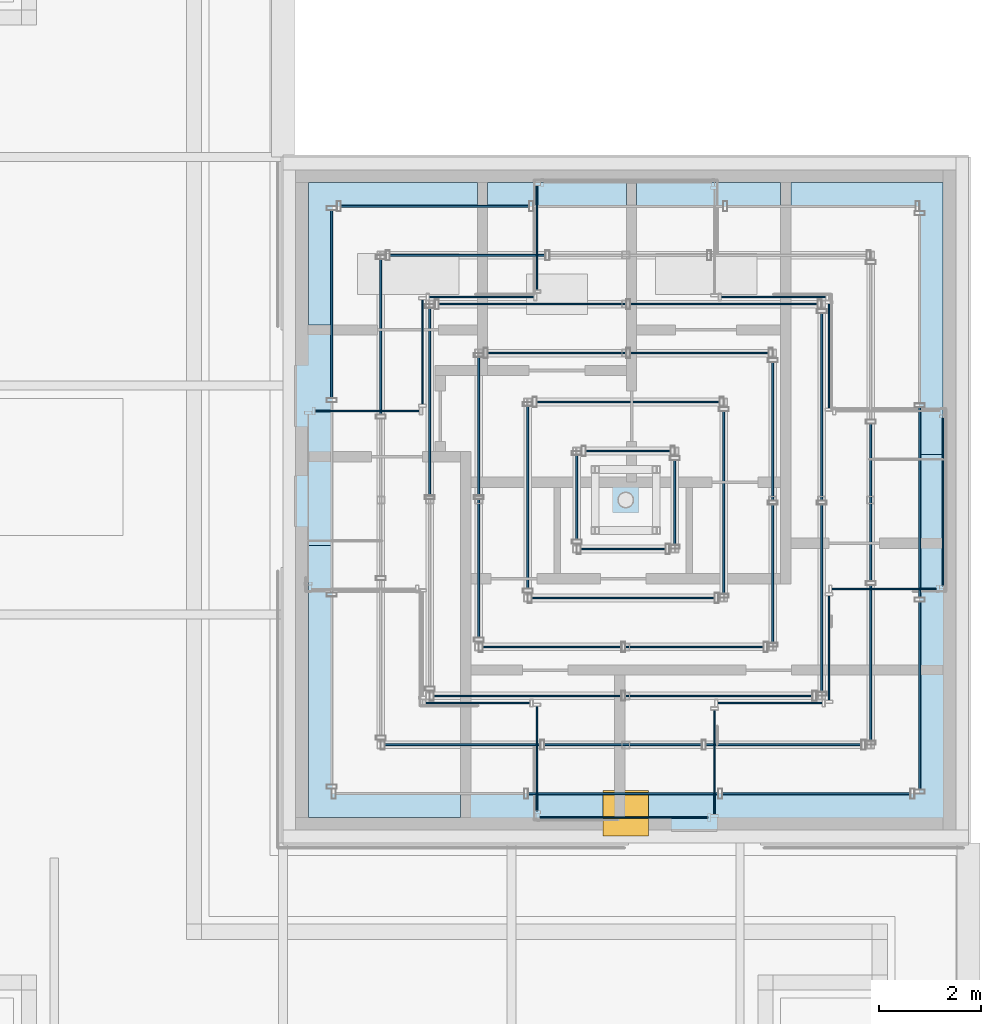
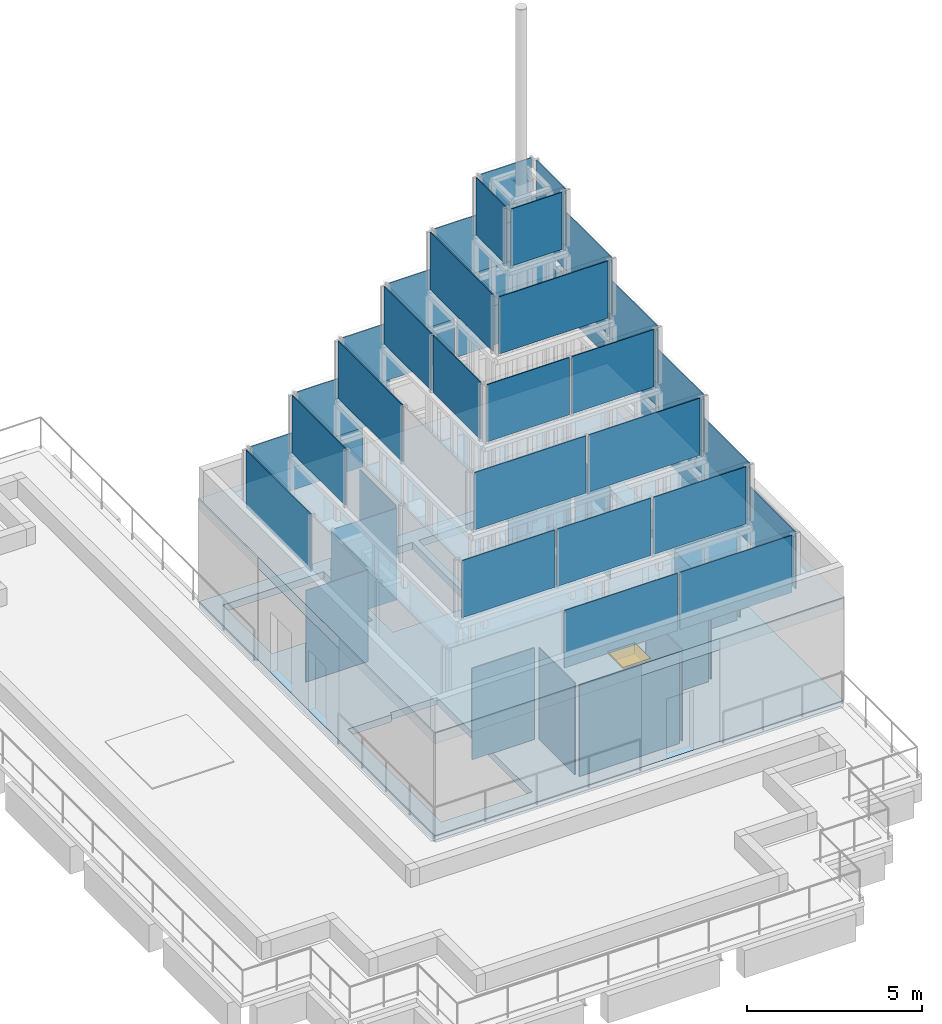
# One storey, part 53 of 62: 50 plates, 2 slabs, 1 door, 1 opening, 38 elements without a shape of their own.
"""IFC4 building model written with IfcOpenShell, lengths in metres."""

from ifc_helpers import new_model, si_unit, direction, frame, origin, origin_2d, place, context, subcontext, project, spatial, polyline, rectangle, outline, extrude, material, layer, layer_set, type_object, element, fill, aggregate, save


model = new_model("IFC4")

# Units and contexts
model_context = context("Model", 3, precision=1e-05, world=origin(), true_north=direction((0.0, 1.0)))
body_context = subcontext(model_context, "Body", "Model", "MODEL_VIEW")
ifc_project = project(units=[si_unit("LENGTHUNIT", "METRE"), si_unit("AREAUNIT", "SQUARE_METRE"), si_unit("VOLUMEUNIT", "CUBIC_METRE"), si_unit("PLANEANGLEUNIT", "RADIAN"), si_unit("MASSUNIT", "GRAM", prefix="KILO")], contexts=[model_context])

# Site, building, storey
site_placement = place(None, origin())
site = spatial("IfcSite", under=ifc_project, at=site_placement, CompositionType="ELEMENT")
building_placement = place(site_placement, origin())
building = spatial("IfcBuilding", under=site, at=building_placement, Name="Altepetl Exchange Towers", CompositionType="ELEMENT")
storey_placement = place(building_placement, frame((0.0, 0.0, 210.0)))
storey = spatial("IfcBuildingStorey", under=building, at=storey_placement, Name="L53", CompositionType="ELEMENT", Elevation=210.0)

# Slab
ifc_material_1 = material(Name="Concrete C40/50", Category="concrete")
ifc_layer_1 = layer(ifc_material_1, 0.25)
ifc_layer_set_1 = layer_set([ifc_layer_1], Name="Concrete C40/50")
slab_type_1 = type_object("IfcSlabType", Name="Core floor slab 250", PredefinedType="FLOOR", material=ifc_layer_set_1)
slab_1_placement = place(storey_placement, frame((0.0, 0.0, -0.25)))
element("IfcSlab", 1, at=slab_1_placement, inside=storey, type_object=slab_type_1, Name="slab:B:L53:core0", PredefinedType="FLOOR", context=body_context, shape_type="SweptSolid", body=[
    extrude(outline(polyline([(103.5, 36.0), (117.0, 36.0), (117.0, 49.5), (103.5, 49.5), (103.5, 36.0)]), holes=[polyline([(107.0, 36.5), (104.0, 36.5), (104.0, 41.85009765625), (105.449951171875, 41.85009765625), (105.449951171875, 41.948974609375), (107.0, 41.948974609375), (107.0, 36.5)]), polyline([(113.5, 49.0), (116.5, 49.0), (116.5, 43.64990234375), (115.050048828125, 43.64990234375), (115.050048828125, 43.551025390625), (113.5, 43.551025390625), (113.5, 49.0)]), polyline([(107.532958984375, 45.39990234375), (107.532958984375, 49.0), (110.26708984375, 49.0), (110.26708984375, 45.39990234375), (107.532958984375, 45.39990234375)]), polyline([(104.0, 49.0), (107.3330078125, 49.0), (107.3330078125, 46.199951171875), (104.0, 46.199951171875), (104.0, 49.0)]), polyline([(110.467041015625, 49.0), (113.300048828125, 49.0), (113.300048828125, 46.199951171875), (110.467041015625, 46.199951171875), (110.467041015625, 49.0)])]), origin(), (0.0, 0.0, 1.0), 0.25),
])

# Curtain wall, plate
ifc_material_2 = material(Name="Aluminium 6063-T6 glazing", Category="aluminium")
curtain_wall_type_1 = type_object("IfcCurtainWallType", Name="Loggia glazing system", PredefinedType="NOTDEFINED", material=ifc_material_2)
curtain_wall_1_placement = place(storey_placement, origin())
curtain_wall_1 = element("IfcCurtainWall", 2, at=curtain_wall_1_placement, inside=storey, type_object=curtain_wall_type_1, Name="CW1 run", PredefinedType="NOTDEFINED")
ifc_material_3 = material(Name="Glass 6-16-6 low emissivity", Category="glass")
ifc_layer_2 = layer(ifc_material_3, 0.028076171875)
ifc_layer_set_2 = layer_set([ifc_layer_2], Name="Glass 6-16-6 low emissivity")
plate_type_1 = type_object("IfcPlateType", Name="Glass panel 28 double glazed", PredefinedType="CURTAIN_PANEL", material=ifc_layer_set_2)
plate_1_placement = place(storey_placement, frame((116.5, 42.71240234375, 0.0), z_axis=(0.0, 0.0, 1.0), x_axis=(0.0, 1.0, 0.0)))
plate_1 = element("IfcPlate", 3, at=plate_1_placement, type_object=plate_type_1, Name="GP1 panel", PredefinedType="CURTAIN_PANEL", context=body_context, shape_type="SweptSolid", body=[
    extrude(rectangle(XDim=3.304931640625, YDim=0.028076171875, at=origin_2d()), origin(), (0.0, 0.0, 1.0), 3.199951171875),
])
aggregate(curtain_wall_1, [plate_1])

curtain_wall_2_placement = place(storey_placement, origin())
curtain_wall_2 = element("IfcCurtainWall", 4, at=curtain_wall_2_placement, inside=storey, type_object=curtain_wall_type_1, Name="CW1 run", PredefinedType="NOTDEFINED")
plate_2_placement = place(storey_placement, frame((114.25, 45.58740234375, 0.0), z_axis=(0.0, 0.0, 1.0), x_axis=(0.0, 1.0, 0.0)))
plate_2 = element("IfcPlate", 5, at=plate_2_placement, type_object=plate_type_1, Name="GP1 panel", PredefinedType="CURTAIN_PANEL", context=body_context, shape_type="SweptSolid", body=[
    extrude(rectangle(XDim=2.054931640625, YDim=0.028076171875, at=origin_2d()), origin(), (0.0, 0.0, 1.0), 3.199951171875),
])
aggregate(curtain_wall_2, [plate_2])

curtain_wall_3_placement = place(storey_placement, origin())
curtain_wall_3 = element("IfcCurtainWall", 6, at=curtain_wall_3_placement, inside=storey, type_object=curtain_wall_type_1, Name="CW1 run", PredefinedType="NOTDEFINED")
plate_3_placement = place(storey_placement, frame((113.16259765625, 46.75, 0.0), z_axis=(0.0, 0.0, 1.0), x_axis=(-1.0, 0.0, 0.0)))
plate_3 = element("IfcPlate", 7, at=plate_3_placement, type_object=plate_type_1, Name="GP1 panel", PredefinedType="CURTAIN_PANEL", context=body_context, shape_type="SweptSolid", body=[
    extrude(rectangle(XDim=2.054931640625, YDim=0.028076171875, at=origin_2d()), origin(), (0.0, 0.0, 1.0), 3.199951171875),
])
aggregate(curtain_wall_3, [plate_3])

curtain_wall_4_placement = place(storey_placement, origin())
curtain_wall_4 = element("IfcCurtainWall", 8, at=curtain_wall_4_placement, inside=storey, type_object=curtain_wall_type_1, Name="CW1 run", PredefinedType="NOTDEFINED")
plate_4_placement = place(storey_placement, frame((108.5, 47.91259765625, 0.0), z_axis=(0.0, 0.0, 1.0), x_axis=(0.0, -1.0, 0.0)))
plate_4 = element("IfcPlate", 9, at=plate_4_placement, type_object=plate_type_1, Name="GP1 panel", PredefinedType="CURTAIN_PANEL", context=body_context, shape_type="SweptSolid", body=[
    extrude(rectangle(XDim=2.054931640625, YDim=0.028076171875, at=origin_2d()), origin(), (0.0, 0.0, 1.0), 3.199951171875),
])
aggregate(curtain_wall_4, [plate_4])

curtain_wall_5_placement = place(storey_placement, origin())
curtain_wall_5 = element("IfcCurtainWall", 10, at=curtain_wall_5_placement, inside=storey, type_object=curtain_wall_type_1, Name="CW1 run", PredefinedType="NOTDEFINED")
plate_5_placement = place(storey_placement, frame((107.41259765625, 46.75, 0.0), z_axis=(0.0, 0.0, 1.0), x_axis=(-1.0, 0.0, 0.0)))
plate_5 = element("IfcPlate", 11, at=plate_5_placement, type_object=plate_type_1, Name="GP1 panel", PredefinedType="CURTAIN_PANEL", context=body_context, shape_type="SweptSolid", body=[
    extrude(rectangle(XDim=2.054931640625, YDim=0.028076171875, at=origin_2d()), origin(), (0.0, 0.0, 1.0), 3.199951171875),
])
aggregate(curtain_wall_5, [plate_5])

curtain_wall_6_placement = place(storey_placement, origin())
curtain_wall_6 = element("IfcCurtainWall", 12, at=curtain_wall_6_placement, inside=storey, type_object=curtain_wall_type_1, Name="CW1 run", PredefinedType="NOTDEFINED")
plate_6_placement = place(storey_placement, frame((106.25, 45.66259765625, 0.0), z_axis=(0.0, 0.0, 1.0), x_axis=(0.0, -1.0, 0.0)))
plate_6 = element("IfcPlate", 13, at=plate_6_placement, type_object=plate_type_1, Name="GP1 panel", PredefinedType="CURTAIN_PANEL", context=body_context, shape_type="SweptSolid", body=[
    extrude(rectangle(XDim=2.054931640625, YDim=0.028076171875, at=origin_2d()), origin(), (0.0, 0.0, 1.0), 3.199951171875),
])
aggregate(curtain_wall_6, [plate_6])

curtain_wall_7_placement = place(storey_placement, origin())
curtain_wall_7 = element("IfcCurtainWall", 14, at=curtain_wall_7_placement, inside=storey, type_object=curtain_wall_type_1, Name="CW1 run", PredefinedType="NOTDEFINED")
plate_7_placement = place(storey_placement, frame((105.16259765625, 44.5, 0.0), z_axis=(0.0, 0.0, 1.0), x_axis=(-1.0, 0.0, 0.0)))
plate_7 = element("IfcPlate", 15, at=plate_7_placement, type_object=plate_type_1, Name="GP1 panel", PredefinedType="CURTAIN_PANEL", context=body_context, shape_type="SweptSolid", body=[
    extrude(rectangle(XDim=2.054931640625, YDim=0.028076171875, at=origin_2d()), origin(), (0.0, 0.0, 1.0), 3.199951171875),
])
aggregate(curtain_wall_7, [plate_7])

curtain_wall_8_placement = place(storey_placement, origin())
curtain_wall_8 = element("IfcCurtainWall", 16, at=curtain_wall_8_placement, inside=storey, type_object=curtain_wall_type_1, Name="CW1 run", PredefinedType="NOTDEFINED")
plate_8_placement = place(storey_placement, frame((107.33740234375, 38.75, 0.0)))
plate_8 = element("IfcPlate", 17, at=plate_8_placement, type_object=plate_type_1, Name="GP1 panel", PredefinedType="CURTAIN_PANEL", context=body_context, shape_type="SweptSolid", body=[
    extrude(rectangle(XDim=2.054931640625, YDim=0.028076171875, at=origin_2d()), origin(), (0.0, 0.0, 1.0), 3.199951171875),
])
aggregate(curtain_wall_8, [plate_8])

curtain_wall_9_placement = place(storey_placement, origin())
curtain_wall_9 = element("IfcCurtainWall", 18, at=curtain_wall_9_placement, inside=storey, type_object=curtain_wall_type_1, Name="CW1 run", PredefinedType="NOTDEFINED")
plate_9_placement = place(storey_placement, frame((108.5, 37.66259765625, 0.0), z_axis=(0.0, 0.0, 1.0), x_axis=(0.0, -1.0, 0.0)))
plate_9 = element("IfcPlate", 19, at=plate_9_placement, type_object=plate_type_1, Name="GP1 panel", PredefinedType="CURTAIN_PANEL", context=body_context, shape_type="SweptSolid", body=[
    extrude(rectangle(XDim=2.054931640625, YDim=0.028076171875, at=origin_2d()), origin(), (0.0, 0.0, 1.0), 3.199951171875),
])
aggregate(curtain_wall_9, [plate_9])

curtain_wall_10_placement = place(storey_placement, origin())
curtain_wall_10 = element("IfcCurtainWall", 20, at=curtain_wall_10_placement, inside=storey, type_object=curtain_wall_type_1, Name="CW1 run", PredefinedType="NOTDEFINED")
plate_10_placement = place(storey_placement, frame((110.21240234375, 36.5, 0.0)))
plate_10 = element("IfcPlate", 21, at=plate_10_placement, type_object=plate_type_1, Name="GP1 panel", PredefinedType="CURTAIN_PANEL", context=body_context, shape_type="SweptSolid", body=[
    extrude(rectangle(XDim=3.304931640625, YDim=0.028076171875, at=origin_2d()), origin(), (0.0, 0.0, 1.0), 3.199951171875),
])
aggregate(curtain_wall_10, [plate_10])

curtain_wall_11_placement = place(storey_placement, origin())
curtain_wall_11 = element("IfcCurtainWall", 22, at=curtain_wall_11_placement, inside=storey, type_object=curtain_wall_type_1, Name="CW1 run", PredefinedType="NOTDEFINED")
plate_11_placement = place(storey_placement, frame((112.0, 37.58740234375, 0.0), z_axis=(0.0, 0.0, 1.0), x_axis=(0.0, 1.0, 0.0)))
plate_11 = element("IfcPlate", 23, at=plate_11_placement, type_object=plate_type_1, Name="GP1 panel", PredefinedType="CURTAIN_PANEL", context=body_context, shape_type="SweptSolid", body=[
    extrude(rectangle(XDim=2.054931640625, YDim=0.028076171875, at=origin_2d()), origin(), (0.0, 0.0, 1.0), 3.199951171875),
])
aggregate(curtain_wall_11, [plate_11])

curtain_wall_12_placement = place(storey_placement, origin())
curtain_wall_12 = element("IfcCurtainWall", 24, at=curtain_wall_12_placement, inside=storey, type_object=curtain_wall_type_1, Name="CW1 run", PredefinedType="NOTDEFINED")
plate_12_placement = place(storey_placement, frame((113.08740234375, 38.75, 0.0)))
plate_12 = element("IfcPlate", 25, at=plate_12_placement, type_object=plate_type_1, Name="GP1 panel", PredefinedType="CURTAIN_PANEL", context=body_context, shape_type="SweptSolid", body=[
    extrude(rectangle(XDim=2.054931640625, YDim=0.028076171875, at=origin_2d()), origin(), (0.0, 0.0, 1.0), 3.199951171875),
])
aggregate(curtain_wall_12, [plate_12])

curtain_wall_13_placement = place(storey_placement, origin())
curtain_wall_13 = element("IfcCurtainWall", 26, at=curtain_wall_13_placement, inside=storey, type_object=curtain_wall_type_1, Name="CW1 run", PredefinedType="NOTDEFINED")
plate_13_placement = place(storey_placement, frame((114.25, 39.83740234375, 0.0), z_axis=(0.0, 0.0, 1.0), x_axis=(0.0, 1.0, 0.0)))
plate_13 = element("IfcPlate", 27, at=plate_13_placement, type_object=plate_type_1, Name="GP1 panel", PredefinedType="CURTAIN_PANEL", context=body_context, shape_type="SweptSolid", body=[
    extrude(rectangle(XDim=2.054931640625, YDim=0.028076171875, at=origin_2d()), origin(), (0.0, 0.0, 1.0), 3.199951171875),
])
aggregate(curtain_wall_13, [plate_13])

curtain_wall_14_placement = place(storey_placement, origin())
curtain_wall_14 = element("IfcCurtainWall", 28, at=curtain_wall_14_placement, inside=storey, type_object=curtain_wall_type_1, Name="CW1 run", PredefinedType="NOTDEFINED")
plate_14_placement = place(storey_placement, frame((115.33740234375, 41.0, 0.0)))
plate_14 = element("IfcPlate", 29, at=plate_14_placement, type_object=plate_type_1, Name="GP1 panel", PredefinedType="CURTAIN_PANEL", context=body_context, shape_type="SweptSolid", body=[
    extrude(rectangle(XDim=2.054931640625, YDim=0.028076171875, at=origin_2d()), origin(), (0.0, 0.0, 1.0), 3.199951171875),
])
aggregate(curtain_wall_14, [plate_14])

# Curtain wall, plates
curtain_wall_type_2 = type_object("IfcCurtainWallType", Name="Crown glazing system", PredefinedType="NOTDEFINED", material=ifc_material_2)
curtain_wall_15_placement = place(storey_placement, origin())
curtain_wall_15 = element("IfcCurtainWall", 30, at=curtain_wall_15_placement, inside=storey, type_object=curtain_wall_type_2, Name="CW7 run", PredefinedType="NOTDEFINED")
ifc_material_4 = material(Name="Glass 8-20-8 solar control", Category="glass")
ifc_layer_3 = layer(ifc_material_4, 0.035888671875)
ifc_layer_set_3 = layer_set([ifc_layer_3], Name="Glass 8-20-8 solar control")
plate_type_2 = type_object("IfcPlateType", Name="Glass panel 36 double glazed", PredefinedType="CURTAIN_PANEL", material=ifc_layer_set_3)
plate_15_placement = place(storey_placement, frame((110.199951171875, 36.96435546875, 3.60009765625)))
plate_15 = element("IfcPlate", 31, at=plate_15_placement, type_object=plate_type_2, Name="GP2 panel", PredefinedType="CURTAIN_PANEL", context=body_context, shape_type="SweptSolid", body=[
    extrude(rectangle(XDim=3.743896484375, YDim=0.035888671875, at=origin_2d()), origin(), (0.0, 0.0, 1.0), 2.0),
])
plate_16_placement = place(storey_placement, frame((114.00390625, 36.96435546875, 3.60009765625)))
plate_16 = element("IfcPlate", 32, at=plate_16_placement, type_object=plate_type_2, Name="GP2 panel", PredefinedType="CURTAIN_PANEL", context=body_context, shape_type="SweptSolid", body=[
    extrude(rectangle(XDim=3.703857421875, YDim=0.035888671875, at=origin_2d()), origin(), (0.0, 0.0, 1.0), 2.0),
])
aggregate(curtain_wall_15, [plate_15, plate_16])

curtain_wall_16_placement = place(storey_placement, origin())
curtain_wall_16 = element("IfcCurtainWall", 33, at=curtain_wall_16_placement, inside=storey, type_object=curtain_wall_type_2, Name="CW7 run", PredefinedType="NOTDEFINED")
plate_17_placement = place(storey_placement, frame((116.03564453125, 38.896240234375, 3.60009765625), z_axis=(0.0, 0.0, 1.0), x_axis=(0.0, 1.0, 0.0)))
plate_17 = element("IfcPlate", 34, at=plate_17_placement, type_object=plate_type_2, Name="GP2 panel", PredefinedType="CURTAIN_PANEL", context=body_context, shape_type="SweptSolid", body=[
    extrude(rectangle(XDim=3.703857421875, YDim=0.035888671875, at=origin_2d()), origin(), (0.0, 0.0, 1.0), 2.0),
])
plate_18_placement = place(storey_placement, frame((116.03564453125, 42.699951171875, 3.60009765625), z_axis=(0.0, 0.0, 1.0), x_axis=(0.0, 1.0, 0.0)))
plate_18 = element("IfcPlate", 35, at=plate_18_placement, type_object=plate_type_2, Name="GP2 panel", PredefinedType="CURTAIN_PANEL", context=body_context, shape_type="SweptSolid", body=[
    extrude(rectangle(XDim=3.743896484375, YDim=0.035888671875, at=origin_2d()), origin(), (0.0, 0.0, 1.0), 2.0),
])
aggregate(curtain_wall_16, [plate_17, plate_18])

# Curtain wall, plate
curtain_wall_17_placement = place(storey_placement, origin())
curtain_wall_17 = element("IfcCurtainWall", 36, at=curtain_wall_17_placement, inside=storey, type_object=curtain_wall_type_2, Name="CW7 run", PredefinedType="NOTDEFINED")
plate_19_placement = place(storey_placement, frame((106.49609375, 48.53564453125, 3.60009765625), z_axis=(0.0, 0.0, 1.0), x_axis=(-1.0, 0.0, 0.0)))
plate_19 = element("IfcPlate", 37, at=plate_19_placement, type_object=plate_type_2, Name="GP2 panel", PredefinedType="CURTAIN_PANEL", context=body_context, shape_type="SweptSolid", body=[
    extrude(rectangle(XDim=3.703857421875, YDim=0.035888671875, at=origin_2d()), origin(), (0.0, 0.0, 1.0), 2.0),
])
aggregate(curtain_wall_17, [plate_19])

curtain_wall_18_placement = place(storey_placement, origin())
curtain_wall_18 = element("IfcCurtainWall", 38, at=curtain_wall_18_placement, inside=storey, type_object=curtain_wall_type_2, Name="CW7 run", PredefinedType="NOTDEFINED")
plate_20_placement = place(storey_placement, frame((104.46435546875, 46.603759765625, 3.60009765625), z_axis=(0.0, 0.0, 1.0), x_axis=(0.0, -1.0, 0.0)))
plate_20 = element("IfcPlate", 39, at=plate_20_placement, type_object=plate_type_2, Name="GP2 panel", PredefinedType="CURTAIN_PANEL", context=body_context, shape_type="SweptSolid", body=[
    extrude(rectangle(XDim=3.703857421875, YDim=0.035888671875, at=origin_2d()), origin(), (0.0, 0.0, 1.0), 2.0),
])
aggregate(curtain_wall_18, [plate_20])

# Curtain wall, plates
curtain_wall_19_placement = place(storey_placement, origin())
curtain_wall_19 = element("IfcCurtainWall", 40, at=curtain_wall_19_placement, inside=storey, type_object=curtain_wall_type_2, Name="CW7 run", PredefinedType="NOTDEFINED")
plate_21_placement = place(storey_placement, frame((107.0390625, 37.928466796875, 5.75)))
plate_21 = element("IfcPlate", 41, at=plate_21_placement, type_object=plate_type_2, Name="GP2 panel", PredefinedType="CURTAIN_PANEL", context=body_context, shape_type="SweptSolid", body=[
    extrude(rectangle(XDim=3.06103515625, YDim=0.035888671875, at=origin_2d()), origin(), (0.0, 0.0, 1.0), 2.0),
])
plate_22_placement = place(storey_placement, frame((110.199951171875, 37.928466796875, 5.75)))
plate_22 = element("IfcPlate", 42, at=plate_22_placement, type_object=plate_type_2, Name="GP2 panel", PredefinedType="CURTAIN_PANEL", context=body_context, shape_type="SweptSolid", body=[
    extrude(rectangle(XDim=3.10107421875, YDim=0.035888671875, at=origin_2d()), origin(), (0.0, 0.0, 1.0), 2.0),
])
plate_23_placement = place(storey_placement, frame((113.36083984375, 37.928466796875, 5.75)))
plate_23 = element("IfcPlate", 43, at=plate_23_placement, type_object=plate_type_2, Name="GP2 panel", PredefinedType="CURTAIN_PANEL", context=body_context, shape_type="SweptSolid", body=[
    extrude(rectangle(XDim=3.06103515625, YDim=0.035888671875, at=origin_2d()), origin(), (0.0, 0.0, 1.0), 2.0),
])
aggregate(curtain_wall_19, [plate_21, plate_22, plate_23])

curtain_wall_20_placement = place(storey_placement, origin())
curtain_wall_20 = element("IfcCurtainWall", 44, at=curtain_wall_20_placement, inside=storey, type_object=curtain_wall_type_2, Name="CW7 run", PredefinedType="NOTDEFINED")
plate_24_placement = place(storey_placement, frame((115.071533203125, 39.5390625, 5.75), z_axis=(0.0, 0.0, 1.0), x_axis=(0.0, 1.0, 0.0)))
plate_24 = element("IfcPlate", 45, at=plate_24_placement, type_object=plate_type_2, Name="GP2 panel", PredefinedType="CURTAIN_PANEL", context=body_context, shape_type="SweptSolid", body=[
    extrude(rectangle(XDim=3.06103515625, YDim=0.035888671875, at=origin_2d()), origin(), (0.0, 0.0, 1.0), 2.0),
])
plate_25_placement = place(storey_placement, frame((115.071533203125, 42.699951171875, 5.75), z_axis=(0.0, 0.0, 1.0), x_axis=(0.0, 1.0, 0.0)))
plate_25 = element("IfcPlate", 46, at=plate_25_placement, type_object=plate_type_2, Name="GP2 panel", PredefinedType="CURTAIN_PANEL", context=body_context, shape_type="SweptSolid", body=[
    extrude(rectangle(XDim=3.10107421875, YDim=0.035888671875, at=origin_2d()), origin(), (0.0, 0.0, 1.0), 2.0),
])
aggregate(curtain_wall_20, [plate_24, plate_25])

# Curtain wall, plate
curtain_wall_21_placement = place(storey_placement, origin())
curtain_wall_21 = element("IfcCurtainWall", 47, at=curtain_wall_21_placement, inside=storey, type_object=curtain_wall_type_2, Name="CW7 run", PredefinedType="NOTDEFINED")
plate_26_placement = place(storey_placement, frame((107.13916015625, 47.571533203125, 5.75), z_axis=(0.0, 0.0, 1.0), x_axis=(-1.0, 0.0, 0.0)))
plate_26 = element("IfcPlate", 48, at=plate_26_placement, type_object=plate_type_2, Name="GP2 panel", PredefinedType="CURTAIN_PANEL", context=body_context, shape_type="SweptSolid", body=[
    extrude(rectangle(XDim=3.06103515625, YDim=0.035888671875, at=origin_2d()), origin(), (0.0, 0.0, 1.0), 2.0),
])
aggregate(curtain_wall_21, [plate_26])

curtain_wall_22_placement = place(storey_placement, origin())
curtain_wall_22 = element("IfcCurtainWall", 49, at=curtain_wall_22_placement, inside=storey, type_object=curtain_wall_type_2, Name="CW7 run", PredefinedType="NOTDEFINED")
plate_27_placement = place(storey_placement, frame((105.428466796875, 45.9609375, 5.75), z_axis=(0.0, 0.0, 1.0), x_axis=(0.0, -1.0, 0.0)))
plate_27 = element("IfcPlate", 50, at=plate_27_placement, type_object=plate_type_2, Name="GP2 panel", PredefinedType="CURTAIN_PANEL", context=body_context, shape_type="SweptSolid", body=[
    extrude(rectangle(XDim=3.06103515625, YDim=0.035888671875, at=origin_2d()), origin(), (0.0, 0.0, 1.0), 2.0),
])
aggregate(curtain_wall_22, [plate_27])

# Curtain wall, plates
curtain_wall_23_placement = place(storey_placement, origin())
curtain_wall_23 = element("IfcCurtainWall", 51, at=curtain_wall_23_placement, inside=storey, type_object=curtain_wall_type_2, Name="CW7 run", PredefinedType="NOTDEFINED")
plate_28_placement = place(storey_placement, frame((108.31640625, 38.892822265625, 7.89990234375)))
plate_28 = element("IfcPlate", 52, at=plate_28_placement, type_object=plate_type_2, Name="GP2 panel", PredefinedType="CURTAIN_PANEL", context=body_context, shape_type="SweptSolid", body=[
    extrude(rectangle(XDim=3.687255859375, YDim=0.035888671875, at=origin_2d()), origin(), (0.0, 0.0, 1.0), 2.0),
])
plate_29_placement = place(storey_placement, frame((112.08349609375, 38.892822265625, 7.89990234375)))
plate_29 = element("IfcPlate", 53, at=plate_29_placement, type_object=plate_type_2, Name="GP2 panel", PredefinedType="CURTAIN_PANEL", context=body_context, shape_type="SweptSolid", body=[
    extrude(rectangle(XDim=3.687255859375, YDim=0.035888671875, at=origin_2d()), origin(), (0.0, 0.0, 1.0), 2.0),
])
aggregate(curtain_wall_23, [plate_28, plate_29])

curtain_wall_24_placement = place(storey_placement, origin())
curtain_wall_24 = element("IfcCurtainWall", 54, at=curtain_wall_24_placement, inside=storey, type_object=curtain_wall_type_2, Name="CW7 run", PredefinedType="NOTDEFINED")
plate_30_placement = place(storey_placement, frame((114.107177734375, 40.81640625, 7.89990234375), z_axis=(0.0, 0.0, 1.0), x_axis=(0.0, 1.0, 0.0)))
plate_30 = element("IfcPlate", 55, at=plate_30_placement, type_object=plate_type_2, Name="GP2 panel", PredefinedType="CURTAIN_PANEL", context=body_context, shape_type="SweptSolid", body=[
    extrude(rectangle(XDim=3.687255859375, YDim=0.035888671875, at=origin_2d()), origin(), (0.0, 0.0, 1.0), 2.0),
])
plate_31_placement = place(storey_placement, frame((114.107177734375, 44.58349609375, 7.89990234375), z_axis=(0.0, 0.0, 1.0), x_axis=(0.0, 1.0, 0.0)))
plate_31 = element("IfcPlate", 56, at=plate_31_placement, type_object=plate_type_2, Name="GP2 panel", PredefinedType="CURTAIN_PANEL", context=body_context, shape_type="SweptSolid", body=[
    extrude(rectangle(XDim=3.687255859375, YDim=0.035888671875, at=origin_2d()), origin(), (0.0, 0.0, 1.0), 2.0),
])
aggregate(curtain_wall_24, [plate_30, plate_31])

curtain_wall_25_placement = place(storey_placement, origin())
curtain_wall_25 = element("IfcCurtainWall", 57, at=curtain_wall_25_placement, inside=storey, type_object=curtain_wall_type_2, Name="CW7 run", PredefinedType="NOTDEFINED")
plate_32_placement = place(storey_placement, frame((112.18359375, 46.607177734375, 7.89990234375), z_axis=(0.0, 0.0, 1.0), x_axis=(-1.0, 0.0, 0.0)))
plate_32 = element("IfcPlate", 58, at=plate_32_placement, type_object=plate_type_2, Name="GP2 panel", PredefinedType="CURTAIN_PANEL", context=body_context, shape_type="SweptSolid", body=[
    extrude(rectangle(XDim=3.687255859375, YDim=0.035888671875, at=origin_2d()), origin(), (0.0, 0.0, 1.0), 2.0),
])
plate_33_placement = place(storey_placement, frame((108.41650390625, 46.607177734375, 7.89990234375), z_axis=(0.0, 0.0, 1.0), x_axis=(-1.0, 0.0, 0.0)))
plate_33 = element("IfcPlate", 59, at=plate_33_placement, type_object=plate_type_2, Name="GP2 panel", PredefinedType="CURTAIN_PANEL", context=body_context, shape_type="SweptSolid", body=[
    extrude(rectangle(XDim=3.687255859375, YDim=0.035888671875, at=origin_2d()), origin(), (0.0, 0.0, 1.0), 2.0),
])
aggregate(curtain_wall_25, [plate_32, plate_33])

# Curtain wall, plate
curtain_wall_26_placement = place(storey_placement, origin())
curtain_wall_26 = element("IfcCurtainWall", 60, at=curtain_wall_26_placement, inside=storey, type_object=curtain_wall_type_2, Name="CW7 run", PredefinedType="NOTDEFINED")
plate_34_placement = place(storey_placement, frame((106.392822265625, 44.68359375, 7.89990234375), z_axis=(0.0, 0.0, 1.0), x_axis=(0.0, -1.0, 0.0)))
plate_34 = element("IfcPlate", 61, at=plate_34_placement, type_object=plate_type_2, Name="GP2 panel", PredefinedType="CURTAIN_PANEL", context=body_context, shape_type="SweptSolid", body=[
    extrude(rectangle(XDim=3.687255859375, YDim=0.035888671875, at=origin_2d()), origin(), (0.0, 0.0, 1.0), 2.0),
])
aggregate(curtain_wall_26, [plate_34])

# Curtain wall, plates
curtain_wall_27_placement = place(storey_placement, origin())
curtain_wall_27 = element("IfcCurtainWall", 62, at=curtain_wall_27_placement, inside=storey, type_object=curtain_wall_type_2, Name="CW7 run", PredefinedType="NOTDEFINED")
plate_35_placement = place(storey_placement, frame((108.798583984375, 39.857177734375, 10.050048828125)))
plate_35 = element("IfcPlate", 63, at=plate_35_placement, type_object=plate_type_2, Name="GP2 panel", PredefinedType="CURTAIN_PANEL", context=body_context, shape_type="SweptSolid", body=[
    extrude(rectangle(XDim=2.722900390625, YDim=0.035888671875, at=origin_2d()), origin(), (0.0, 0.0, 1.0), 2.0),
])
plate_36_placement = place(storey_placement, frame((111.601318359375, 39.857177734375, 10.050048828125)))
plate_36 = element("IfcPlate", 64, at=plate_36_placement, type_object=plate_type_2, Name="GP2 panel", PredefinedType="CURTAIN_PANEL", context=body_context, shape_type="SweptSolid", body=[
    extrude(rectangle(XDim=2.722900390625, YDim=0.035888671875, at=origin_2d()), origin(), (0.0, 0.0, 1.0), 2.0),
])
aggregate(curtain_wall_27, [plate_35, plate_36])

curtain_wall_28_placement = place(storey_placement, origin())
curtain_wall_28 = element("IfcCurtainWall", 65, at=curtain_wall_28_placement, inside=storey, type_object=curtain_wall_type_2, Name="CW7 run", PredefinedType="NOTDEFINED")
plate_37_placement = place(storey_placement, frame((113.142822265625, 41.298583984375, 10.050048828125), z_axis=(0.0, 0.0, 1.0), x_axis=(0.0, 1.0, 0.0)))
plate_37 = element("IfcPlate", 66, at=plate_37_placement, type_object=plate_type_2, Name="GP2 panel", PredefinedType="CURTAIN_PANEL", context=body_context, shape_type="SweptSolid", body=[
    extrude(rectangle(XDim=2.722900390625, YDim=0.035888671875, at=origin_2d()), origin(), (0.0, 0.0, 1.0), 2.0),
])
plate_38_placement = place(storey_placement, frame((113.142822265625, 44.101318359375, 10.050048828125), z_axis=(0.0, 0.0, 1.0), x_axis=(0.0, 1.0, 0.0)))
plate_38 = element("IfcPlate", 67, at=plate_38_placement, type_object=plate_type_2, Name="GP2 panel", PredefinedType="CURTAIN_PANEL", context=body_context, shape_type="SweptSolid", body=[
    extrude(rectangle(XDim=2.722900390625, YDim=0.035888671875, at=origin_2d()), origin(), (0.0, 0.0, 1.0), 2.0),
])
aggregate(curtain_wall_28, [plate_37, plate_38])

curtain_wall_29_placement = place(storey_placement, origin())
curtain_wall_29 = element("IfcCurtainWall", 68, at=curtain_wall_29_placement, inside=storey, type_object=curtain_wall_type_2, Name="CW7 run", PredefinedType="NOTDEFINED")
plate_39_placement = place(storey_placement, frame((111.701416015625, 45.642822265625, 10.050048828125), z_axis=(0.0, 0.0, 1.0), x_axis=(-1.0, 0.0, 0.0)))
plate_39 = element("IfcPlate", 69, at=plate_39_placement, type_object=plate_type_2, Name="GP2 panel", PredefinedType="CURTAIN_PANEL", context=body_context, shape_type="SweptSolid", body=[
    extrude(rectangle(XDim=2.722900390625, YDim=0.035888671875, at=origin_2d()), origin(), (0.0, 0.0, 1.0), 2.0),
])
plate_40_placement = place(storey_placement, frame((108.898681640625, 45.642822265625, 10.050048828125), z_axis=(0.0, 0.0, 1.0), x_axis=(-1.0, 0.0, 0.0)))
plate_40 = element("IfcPlate", 70, at=plate_40_placement, type_object=plate_type_2, Name="GP2 panel", PredefinedType="CURTAIN_PANEL", context=body_context, shape_type="SweptSolid", body=[
    extrude(rectangle(XDim=2.722900390625, YDim=0.035888671875, at=origin_2d()), origin(), (0.0, 0.0, 1.0), 2.0),
])
aggregate(curtain_wall_29, [plate_39, plate_40])

curtain_wall_30_placement = place(storey_placement, origin())
curtain_wall_30 = element("IfcCurtainWall", 71, at=curtain_wall_30_placement, inside=storey, type_object=curtain_wall_type_2, Name="CW7 run", PredefinedType="NOTDEFINED")
plate_41_placement = place(storey_placement, frame((107.357177734375, 44.201416015625, 10.050048828125), z_axis=(0.0, 0.0, 1.0), x_axis=(0.0, -1.0, 0.0)))
plate_41 = element("IfcPlate", 72, at=plate_41_placement, type_object=plate_type_2, Name="GP2 panel", PredefinedType="CURTAIN_PANEL", context=body_context, shape_type="SweptSolid", body=[
    extrude(rectangle(XDim=2.722900390625, YDim=0.035888671875, at=origin_2d()), origin(), (0.0, 0.0, 1.0), 2.0),
])
plate_42_placement = place(storey_placement, frame((107.357177734375, 41.398681640625, 10.050048828125), z_axis=(0.0, 0.0, 1.0), x_axis=(0.0, -1.0, 0.0)))
plate_42 = element("IfcPlate", 73, at=plate_42_placement, type_object=plate_type_2, Name="GP2 panel", PredefinedType="CURTAIN_PANEL", context=body_context, shape_type="SweptSolid", body=[
    extrude(rectangle(XDim=2.722900390625, YDim=0.035888671875, at=origin_2d()), origin(), (0.0, 0.0, 1.0), 2.0),
])
aggregate(curtain_wall_30, [plate_41, plate_42])

# Curtain wall, plate
curtain_wall_31_placement = place(storey_placement, origin())
curtain_wall_31 = element("IfcCurtainWall", 74, at=curtain_wall_31_placement, inside=storey, type_object=curtain_wall_type_2, Name="CW7 run", PredefinedType="NOTDEFINED")
plate_43_placement = place(storey_placement, frame((110.199951171875, 40.821533203125, 12.199951171875)))
plate_43 = element("IfcPlate", 75, at=plate_43_placement, type_object=plate_type_2, Name="GP2 panel", PredefinedType="CURTAIN_PANEL", context=body_context, shape_type="SweptSolid", body=[
    extrude(rectangle(XDim=3.59716796875, YDim=0.035888671875, at=origin_2d()), origin(), (0.0, 0.0, 1.0), 2.0),
])
aggregate(curtain_wall_31, [plate_43])

curtain_wall_32_placement = place(storey_placement, origin())
curtain_wall_32 = element("IfcCurtainWall", 76, at=curtain_wall_32_placement, inside=storey, type_object=curtain_wall_type_2, Name="CW7 run", PredefinedType="NOTDEFINED")
plate_44_placement = place(storey_placement, frame((112.178466796875, 42.699951171875, 12.199951171875), z_axis=(0.0, 0.0, 1.0), x_axis=(0.0, 1.0, 0.0)))
plate_44 = element("IfcPlate", 77, at=plate_44_placement, type_object=plate_type_2, Name="GP2 panel", PredefinedType="CURTAIN_PANEL", context=body_context, shape_type="SweptSolid", body=[
    extrude(rectangle(XDim=3.59716796875, YDim=0.035888671875, at=origin_2d()), origin(), (0.0, 0.0, 1.0), 2.0),
])
aggregate(curtain_wall_32, [plate_44])

curtain_wall_33_placement = place(storey_placement, origin())
curtain_wall_33 = element("IfcCurtainWall", 78, at=curtain_wall_33_placement, inside=storey, type_object=curtain_wall_type_2, Name="CW7 run", PredefinedType="NOTDEFINED")
plate_45_placement = place(storey_placement, frame((110.300048828125, 44.678466796875, 12.199951171875), z_axis=(0.0, 0.0, 1.0), x_axis=(-1.0, 0.0, 0.0)))
plate_45 = element("IfcPlate", 79, at=plate_45_placement, type_object=plate_type_2, Name="GP2 panel", PredefinedType="CURTAIN_PANEL", context=body_context, shape_type="SweptSolid", body=[
    extrude(rectangle(XDim=3.59716796875, YDim=0.035888671875, at=origin_2d()), origin(), (0.0, 0.0, 1.0), 2.0),
])
aggregate(curtain_wall_33, [plate_45])

curtain_wall_34_placement = place(storey_placement, origin())
curtain_wall_34 = element("IfcCurtainWall", 80, at=curtain_wall_34_placement, inside=storey, type_object=curtain_wall_type_2, Name="CW7 run", PredefinedType="NOTDEFINED")
plate_46_placement = place(storey_placement, frame((108.321533203125, 42.800048828125, 12.199951171875), z_axis=(0.0, 0.0, 1.0), x_axis=(0.0, -1.0, 0.0)))
plate_46 = element("IfcPlate", 81, at=plate_46_placement, type_object=plate_type_2, Name="GP2 panel", PredefinedType="CURTAIN_PANEL", context=body_context, shape_type="SweptSolid", body=[
    extrude(rectangle(XDim=3.59716796875, YDim=0.035888671875, at=origin_2d()), origin(), (0.0, 0.0, 1.0), 2.0),
])
aggregate(curtain_wall_34, [plate_46])

curtain_wall_35_placement = place(storey_placement, origin())
curtain_wall_35 = element("IfcCurtainWall", 82, at=curtain_wall_35_placement, inside=storey, type_object=curtain_wall_type_2, Name="CW7 run", PredefinedType="NOTDEFINED")
plate_47_placement = place(storey_placement, frame((110.199951171875, 41.78564453125, 14.35009765625)))
plate_47 = element("IfcPlate", 83, at=plate_47_placement, type_object=plate_type_2, Name="GP2 panel", PredefinedType="CURTAIN_PANEL", context=body_context, shape_type="SweptSolid", body=[
    extrude(rectangle(XDim=1.66845703125, YDim=0.035888671875, at=origin_2d()), origin(), (0.0, 0.0, 1.0), 2.0),
])
aggregate(curtain_wall_35, [plate_47])

curtain_wall_36_placement = place(storey_placement, origin())
curtain_wall_36 = element("IfcCurtainWall", 84, at=curtain_wall_36_placement, inside=storey, type_object=curtain_wall_type_2, Name="CW7 run", PredefinedType="NOTDEFINED")
plate_48_placement = place(storey_placement, frame((111.21435546875, 42.699951171875, 14.35009765625), z_axis=(0.0, 0.0, 1.0), x_axis=(0.0, 1.0, 0.0)))
plate_48 = element("IfcPlate", 85, at=plate_48_placement, type_object=plate_type_2, Name="GP2 panel", PredefinedType="CURTAIN_PANEL", context=body_context, shape_type="SweptSolid", body=[
    extrude(rectangle(XDim=1.66845703125, YDim=0.035888671875, at=origin_2d()), origin(), (0.0, 0.0, 1.0), 2.0),
])
aggregate(curtain_wall_36, [plate_48])

curtain_wall_37_placement = place(storey_placement, origin())
curtain_wall_37 = element("IfcCurtainWall", 86, at=curtain_wall_37_placement, inside=storey, type_object=curtain_wall_type_2, Name="CW7 run", PredefinedType="NOTDEFINED")
plate_49_placement = place(storey_placement, frame((110.300048828125, 43.71435546875, 14.35009765625), z_axis=(0.0, 0.0, 1.0), x_axis=(-1.0, 0.0, 0.0)))
plate_49 = element("IfcPlate", 87, at=plate_49_placement, type_object=plate_type_2, Name="GP2 panel", PredefinedType="CURTAIN_PANEL", context=body_context, shape_type="SweptSolid", body=[
    extrude(rectangle(XDim=1.66845703125, YDim=0.035888671875, at=origin_2d()), origin(), (0.0, 0.0, 1.0), 2.0),
])
aggregate(curtain_wall_37, [plate_49])

curtain_wall_38_placement = place(storey_placement, origin())
curtain_wall_38 = element("IfcCurtainWall", 88, at=curtain_wall_38_placement, inside=storey, type_object=curtain_wall_type_2, Name="CW7 run", PredefinedType="NOTDEFINED")
plate_50_placement = place(storey_placement, frame((109.28564453125, 42.800048828125, 14.35009765625), z_axis=(0.0, 0.0, 1.0), x_axis=(0.0, -1.0, 0.0)))
plate_50 = element("IfcPlate", 89, at=plate_50_placement, type_object=plate_type_2, Name="GP2 panel", PredefinedType="CURTAIN_PANEL", context=body_context, shape_type="SweptSolid", body=[
    extrude(rectangle(XDim=1.66845703125, YDim=0.035888671875, at=origin_2d()), origin(), (0.0, 0.0, 1.0), 2.0),
])
aggregate(curtain_wall_38, [plate_50])

# Slab, opening, door
ifc_layer_4 = layer(ifc_material_1, 0.39990234375)
ifc_layer_set_4 = layer_set([ifc_layer_4], Name="Concrete C40/50")
slab_type_2 = type_object("IfcSlabType", Name="Roof slab 400", PredefinedType="ROOF", material=ifc_layer_set_4)
slab_2_placement = place(storey_placement, frame((0.0, 0.0, 3.199951171875)))
slab_2 = element("IfcSlab", 90, at=slab_2_placement, inside=storey, type_object=slab_type_2, Name="slab:B:L53:roof", PredefinedType="ROOF", context=body_context, shape_type="SweptSolid", body=[
    extrude(outline(polyline([(117.0, 36.0), (117.0, 49.5), (103.5, 49.5), (103.5, 36.0), (117.0, 36.0)])), origin(), (0.0, 0.0, 1.0), 0.400146484375),
])
opening_placement = place(slab_2_placement, frame((110.25, 36.58203125, -0.010009765625)))
opening = element("IfcOpeningElement", 91, at=opening_placement, cuts=slab_2, Name="Opening L53.BRH", PredefinedType="OPENING", context=body_context, shape_type="SweptSolid", body=[
    extrude(rectangle(XDim=0.89990234375, YDim=0.89990234375, at=origin_2d()), origin(), (0.0, 0.0, 1.0), 0.420166015625),
])
ifc_material_5 = material(Name="Aluminium 6063-T6 and insulated panel", Category="aluminium")
door_type = type_object("IfcDoorType", Name="Roof hatch 900x900", OperationType="SINGLE_SWING_LEFT", PredefinedType="TRAPDOOR", material=ifc_material_5)
door_placement = place(opening_placement, frame((0.0, 0.0, 0.360107421875)))
door = element("IfcDoor", 92, at=door_placement, inside=storey, type_object=door_type, Name="Roof hatch", OperationType="SINGLE_SWING_LEFT", OverallHeight=0.89990234375, OverallWidth=0.89990234375, PredefinedType="TRAPDOOR", context=body_context, shape_type="SweptSolid", body=[
    extrude(rectangle(XDim=0.89990234375, YDim=0.89990234375, at=origin_2d()), origin(), (0.0, 0.0, 1.0), 0.050048828125),
])
fill(opening, door)

save(model, "model.ifc")
